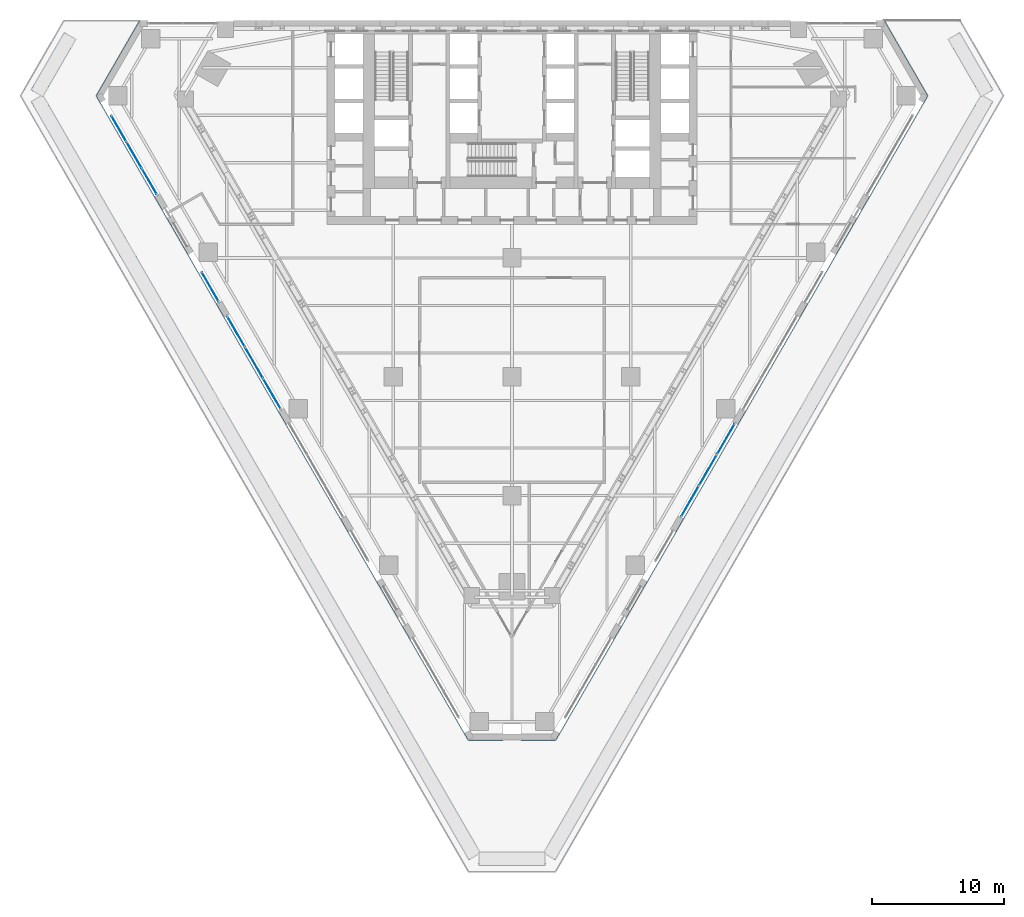
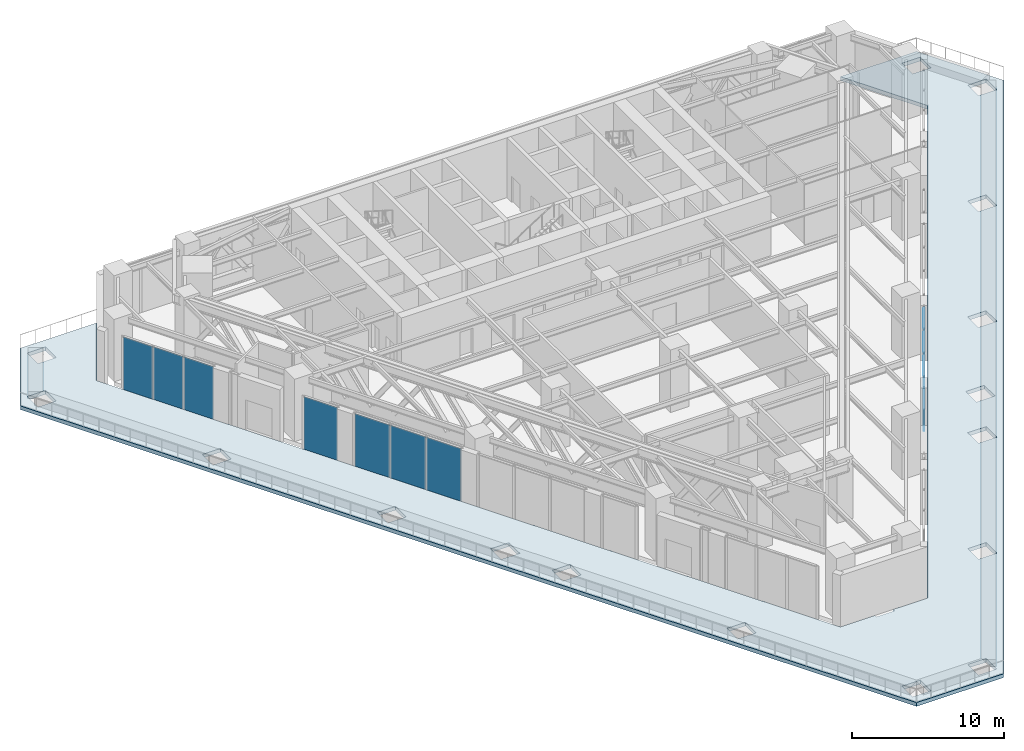
# One storey, part 13 of 25: 10 plates, 1 slab, 4 elements without a shape of their own.
"""IFC4 building model written with IfcOpenShell, lengths in metres."""

from ifc_helpers import new_model, si_unit, direction, frame, origin, origin_2d, place, context, subcontext, project, spatial, polyline, rectangle, outline, extrude, material, layer, layer_set, type_object, element, aggregate, save


model = new_model("IFC4")

# Units and contexts
model_context = context("Model", 3, precision=1e-05, world=origin(), true_north=direction((0.0, 1.0)))
body_context = subcontext(model_context, "Body", "Model", "MODEL_VIEW")
ifc_project = project(units=[si_unit("LENGTHUNIT", "METRE"), si_unit("AREAUNIT", "SQUARE_METRE"), si_unit("VOLUMEUNIT", "CUBIC_METRE"), si_unit("PLANEANGLEUNIT", "RADIAN"), si_unit("MASSUNIT", "GRAM", prefix="KILO")], contexts=[model_context])

# Site, building, storey
site_placement = place(None, origin())
site = spatial("IfcSite", under=ifc_project, at=site_placement, CompositionType="ELEMENT")
building_placement = place(site_placement, origin())
building = spatial("IfcBuilding", under=site, at=building_placement, Name="Aloe Facet Convention Tower", CompositionType="ELEMENT")
storey_placement = place(building_placement, frame((0.0, 0.0, 30.0)))
storey = spatial("IfcBuildingStorey", under=building, at=storey_placement, Name="L05", CompositionType="ELEMENT", Elevation=30.0)

# Curtain wall, plates
ifc_material_1 = material(Name="Aluminium, anodised", Category="aluminium")
curtain_wall_type = type_object("IfcCurtainWallType", Name="EV-CW-HALL", PredefinedType="USERDEFINED", material=ifc_material_1)
curtain_wall_1_placement = place(storey_placement, origin())
curtain_wall_1 = element("IfcCurtainWall", 1, at=curtain_wall_1_placement, inside=storey, type_object=curtain_wall_type, Name="CW-L05-W02", ObjectType="UNITISED HALL GLAZING", PredefinedType="USERDEFINED")
ifc_material_2 = material(Name="Clear double glazing", Category="glass")
ifc_layer_1 = layer(ifc_material_2, 0.035888671875)
ifc_layer_set_1 = layer_set([ifc_layer_1], Name="EV-PANEL-HALL")
plate_type = type_object("IfcPlateType", Name="EV-PANEL-HALL", PredefinedType="CURTAIN_PANEL", material=ifc_layer_set_1)
plate_1_placement = place(storey_placement, frame((50.225830078125, 126.791015625, -0.23486328125), z_axis=(0.0, 0.0, 1.0), x_axis=(0.500000000076, -0.866025403741, 0.0)))
plate_1 = element("IfcPlate", 2, at=plate_1_placement, type_object=plate_type, Name="CW-L05-W02 panel 1.1", PredefinedType="CURTAIN_PANEL", context=body_context, shape_type="SweptSolid", body=[
    extrude(rectangle(XDim=2.221923828125, YDim=0.035888671875, at=origin_2d()), origin(), (0.0, 0.0, 1.0), 4.282470703125),
])
plate_2_placement = place(storey_placement, frame((51.37744140625, 124.79638671875, -0.23486328125), z_axis=(0.0, 0.0, 1.0), x_axis=(0.500000000076, -0.866025403741, 0.0)))
plate_2 = element("IfcPlate", 3, at=plate_2_placement, type_object=plate_type, Name="CW-L05-W02 panel 2.1", PredefinedType="CURTAIN_PANEL", context=body_context, shape_type="SweptSolid", body=[
    extrude(rectangle(XDim=2.25439453125, YDim=0.035888671875, at=origin_2d()), origin(), (0.0, 0.0, 1.0), 4.282470703125),
])
plate_3_placement = place(storey_placement, frame((52.529052734375, 122.8017578125, -0.23486328125), z_axis=(0.0, 0.0, 1.0), x_axis=(0.500000000076, -0.866025403741, 0.0)))
plate_3 = element("IfcPlate", 4, at=plate_3_placement, type_object=plate_type, Name="CW-L05-W02 panel 3.1", PredefinedType="CURTAIN_PANEL", context=body_context, shape_type="SweptSolid", body=[
    extrude(rectangle(XDim=2.221923828125, YDim=0.035888671875, at=origin_2d()), origin(), (0.0, 0.0, 1.0), 4.282470703125),
])
aggregate(curtain_wall_1, [plate_1, plate_2, plate_3])

# Curtain wall, plate
curtain_wall_2_placement = place(storey_placement, origin())
curtain_wall_2 = element("IfcCurtainWall", 5, at=curtain_wall_2_placement, inside=storey, type_object=curtain_wall_type, Name="CW-L05-W04B", ObjectType="UNITISED HALL GLAZING", PredefinedType="USERDEFINED")
plate_4_placement = place(storey_placement, frame((57.145751953125, 114.805419921875, -0.23486328125), z_axis=(0.0, 0.0, 1.0), x_axis=(0.500000000106, -0.866025403723, 0.0)))
plate_4 = element("IfcPlate", 6, at=plate_4_placement, type_object=plate_type, Name="CW-L05-W04B panel 1.1", PredefinedType="CURTAIN_PANEL", context=body_context, shape_type="SweptSolid", body=[
    extrude(rectangle(XDim=2.537353515625, YDim=0.035888671875, at=origin_2d()), origin(), (0.0, 0.0, 1.0), 4.282470703125),
])
aggregate(curtain_wall_2, [plate_4])

# Curtain wall, plates
curtain_wall_3_placement = place(storey_placement, origin())
curtain_wall_3 = element("IfcCurtainWall", 7, at=curtain_wall_3_placement, inside=storey, type_object=curtain_wall_type, Name="CW-L05-W06", ObjectType="UNITISED HALL GLAZING", PredefinedType="USERDEFINED")
plate_5_placement = place(storey_placement, frame((59.103271484375, 111.414794921875, -0.23486328125), z_axis=(0.0, 0.0, 1.0), x_axis=(0.5, -0.866025403784, 0.0)))
plate_5 = element("IfcPlate", 8, at=plate_5_placement, type_object=plate_type, Name="CW-L05-W06 panel 1.1", PredefinedType="CURTAIN_PANEL", context=body_context, shape_type="SweptSolid", body=[
    extrude(rectangle(XDim=2.6328125, YDim=0.035888671875, at=origin_2d()), origin(), (0.0, 0.0, 1.0), 4.282470703125),
])
plate_6_placement = place(storey_placement, frame((60.460205078125, 109.064208984375, -0.23486328125), z_axis=(0.0, 0.0, 1.0), x_axis=(0.5, -0.866025403784, 0.0)))
plate_6 = element("IfcPlate", 9, at=plate_6_placement, type_object=plate_type, Name="CW-L05-W06 panel 2.1", PredefinedType="CURTAIN_PANEL", context=body_context, shape_type="SweptSolid", body=[
    extrude(rectangle(XDim=2.665283203125, YDim=0.035888671875, at=origin_2d()), origin(), (0.0, 0.0, 1.0), 4.282470703125),
])
plate_7_placement = place(storey_placement, frame((61.8173828125, 106.713623046875, -0.23486328125), z_axis=(0.0, 0.0, 1.0), x_axis=(0.5, -0.866025403784, 0.0)))
plate_7 = element("IfcPlate", 10, at=plate_7_placement, type_object=plate_type, Name="CW-L05-W06 panel 3.1", PredefinedType="CURTAIN_PANEL", context=body_context, shape_type="SweptSolid", body=[
    extrude(rectangle(XDim=2.6328125, YDim=0.035888671875, at=origin_2d()), origin(), (0.0, 0.0, 1.0), 4.282470703125),
])
aggregate(curtain_wall_3, [plate_5, plate_6, plate_7])

curtain_wall_4_placement = place(storey_placement, origin())
curtain_wall_4 = element("IfcCurtainWall", 11, at=curtain_wall_4_placement, inside=storey, type_object=curtain_wall_type, Name="CW-L05-E06", ObjectType="UNITISED HALL GLAZING", PredefinedType="USERDEFINED")
plate_8_placement = place(storey_placement, frame((93.487060546875, 98.580810546875, -0.23486328125), z_axis=(0.0, 0.0, 1.0), x_axis=(0.5, 0.866025403784, 0.0)))
plate_8 = element("IfcPlate", 12, at=plate_8_placement, type_object=plate_type, Name="CW-L05-E06 panel 1.1", PredefinedType="CURTAIN_PANEL", context=body_context, shape_type="SweptSolid", body=[
    extrude(rectangle(XDim=2.6328125, YDim=0.035888671875, at=origin_2d()), origin(), (0.0, 0.0, 1.0), 4.282470703125),
])
plate_9_placement = place(storey_placement, frame((94.843994140625, 100.93115234375, -0.23486328125), z_axis=(0.0, 0.0, 1.0), x_axis=(0.5, 0.866025403784, 0.0)))
plate_9 = element("IfcPlate", 13, at=plate_9_placement, type_object=plate_type, Name="CW-L05-E06 panel 2.1", PredefinedType="CURTAIN_PANEL", context=body_context, shape_type="SweptSolid", body=[
    extrude(rectangle(XDim=2.665283203125, YDim=0.035888671875, at=origin_2d()), origin(), (0.0, 0.0, 1.0), 4.282470703125),
])
plate_10_placement = place(storey_placement, frame((96.201171875, 103.28173828125, -0.23486328125), z_axis=(0.0, 0.0, 1.0), x_axis=(0.5, 0.866025403784, 0.0)))
plate_10 = element("IfcPlate", 14, at=plate_10_placement, type_object=plate_type, Name="CW-L05-E06 panel 3.1", PredefinedType="CURTAIN_PANEL", context=body_context, shape_type="SweptSolid", body=[
    extrude(rectangle(XDim=2.6328125, YDim=0.035888671875, at=origin_2d()), origin(), (0.0, 0.0, 1.0), 4.282470703125),
])
aggregate(curtain_wall_4, [plate_8, plate_9, plate_10])

# Slab
ifc_material_3 = material(Name="Concrete C35/45", Category="concrete")
ifc_layer_2 = layer(ifc_material_3, 0.300048828125)
ifc_layer_set_2 = layer_set([ifc_layer_2], Name="SF-TS-300")
slab_type = type_object("IfcSlabType", Name="SF-TS-300", PredefinedType="FLOOR", material=ifc_layer_set_2)
slab_placement = place(storey_placement, frame((0.0, 0.0, -0.300048828125)))
element("IfcSlab", 15, at=slab_placement, inside=storey, type_object=slab_type, Name="Terrace slab PT-L05-1", PredefinedType="FLOOR", context=body_context, shape_type="SweptSolid", body=[
    extrude(outline(polyline([(117.2470703125, 129.2841796875), (83.300048828125, 70.486328125), (76.699951171875, 70.486328125), (42.7529296875, 129.2841796875), (46.052978515625, 135.0), (51.826416015625, 135.0), (48.526611328125, 129.2841796875), (76.699951171875, 80.486328125), (79.300048828125, 80.486328125), (79.300048828125, 80.300048828125), (80.699951171875, 80.300048828125), (80.699951171875, 80.486328125), (83.300048828125, 80.486328125), (111.473388671875, 129.2841796875), (108.173583984375, 135.0), (113.947021484375, 135.0), (117.2470703125, 129.2841796875)]), holes=[polyline([(78.2080078125, 71.18603515625), (78.2080078125, 72.5859375), (76.80810546875, 72.5859375), (76.80810546875, 71.18603515625), (78.2080078125, 71.18603515625)]), polyline([(70.180908203125, 82.666015625), (71.5810546875, 82.666015625), (71.5810546875, 84.06591796875), (70.180908203125, 84.06591796875), (70.180908203125, 82.666015625)]), polyline([(64.952880859375, 94.14501953125), (64.952880859375, 95.544921875), (63.552978515625, 95.544921875), (63.552978515625, 94.14501953125), (64.952880859375, 94.14501953125)]), polyline([(61.300048828125, 98.300048828125), (62.699951171875, 98.300048828125), (62.699951171875, 99.699951171875), (61.300048828125, 99.699951171875), (61.300048828125, 98.300048828125)]), polyline([(58.324951171875, 105.625), (58.324951171875, 107.02490234375), (56.925048828125, 107.02490234375), (56.925048828125, 105.625), (58.324951171875, 105.625)]), polyline([(50.297119140625, 117.10498046875), (51.697021484375, 117.10498046875), (51.697021484375, 118.5048828125), (50.297119140625, 118.5048828125), (50.297119140625, 117.10498046875)]), polyline([(45.070068359375, 128.583984375), (45.070068359375, 129.98388671875), (43.669921875, 129.98388671875), (43.669921875, 128.583984375), (45.070068359375, 128.583984375)]), polyline([(46.160888671875, 132.89990234375), (47.56103515625, 132.89990234375), (47.56103515625, 134.300048828125), (46.160888671875, 134.300048828125), (46.160888671875, 132.89990234375)]), polyline([(83.19189453125, 71.18603515625), (83.19189453125, 72.5859375), (81.7919921875, 72.5859375), (81.7919921875, 71.18603515625), (83.19189453125, 71.18603515625)]), polyline([(89.819091796875, 82.666015625), (89.819091796875, 84.06591796875), (88.4189453125, 84.06591796875), (88.4189453125, 82.666015625), (89.819091796875, 82.666015625)]), polyline([(96.447021484375, 94.14501953125), (96.447021484375, 95.544921875), (95.047119140625, 95.544921875), (95.047119140625, 94.14501953125), (96.447021484375, 94.14501953125)]), polyline([(98.699951171875, 98.300048828125), (98.699951171875, 99.699951171875), (97.300048828125, 99.699951171875), (97.300048828125, 98.300048828125), (98.699951171875, 98.300048828125)]), polyline([(101.675048828125, 105.625), (103.074951171875, 105.625), (103.074951171875, 107.02490234375), (101.675048828125, 107.02490234375), (101.675048828125, 105.625)]), polyline([(108.302978515625, 117.10498046875), (109.702880859375, 117.10498046875), (109.702880859375, 118.5048828125), (108.302978515625, 118.5048828125), (108.302978515625, 117.10498046875)]), polyline([(116.330078125, 128.583984375), (116.330078125, 129.98388671875), (114.929931640625, 129.98388671875), (114.929931640625, 128.583984375), (116.330078125, 128.583984375)]), polyline([(112.43896484375, 132.89990234375), (113.839111328125, 132.89990234375), (113.839111328125, 134.300048828125), (112.43896484375, 134.300048828125), (112.43896484375, 132.89990234375)])]), origin(), (0.0, 0.0, 1.0), 0.300048828125),
])

save(model, "model.ifc")
